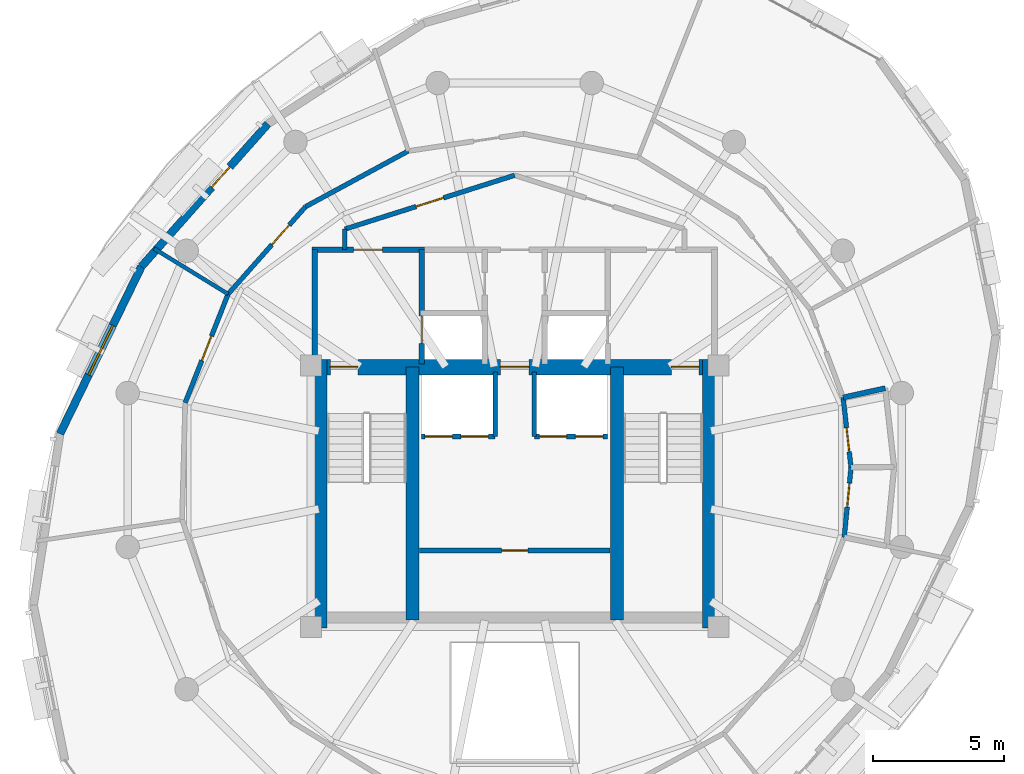
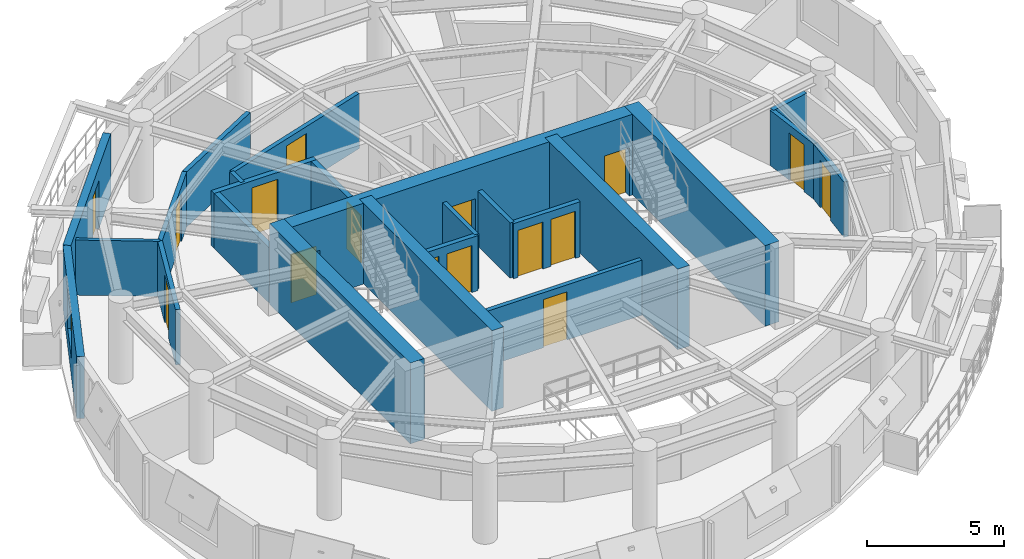
# One storey, part 7 of 11: 24 walls, 16 doors, 1 window, 17 openings.
"""IFC4 building model written with IfcOpenShell, lengths in metres."""

import ifcopenshell
import ifcopenshell.guid

model = None  # the IFC model being written
_history = None  # IfcOwnerHistory: only IFC2X3 demands one
_inside = {}  # id of a spatial element -> (the spatial element, [elements in it])
_under = {}  # id of a project, library or spatial element -> (it, [spatial elements below it])
_declared = {}  # id of a project -> (the project, [libraries it declares])
_typed = {}  # id of a type object -> (the type object, [elements of that type])
_made_of = {}  # id of a material, layer set ... -> (it, [elements and type objects made of it])


def new_model(schema):
    """Start an empty IFC model of exactly this schema.

    Asked for "IFC4X3", IfcOpenShell would pick the latest addendum, in which some entities
    have other attributes; the version numbers below select the first issue.
    IFC2X3 requires an IfcOwnerHistory on every rooted entity: one is made here for all.
    """
    global model, _history
    if schema == "IFC4X3":
        model = ifcopenshell.file(schema_version=(4, 3, 0, 0))
    else:
        model = ifcopenshell.file(schema=schema)
    _inside.clear()
    _under.clear()
    _declared.clear()
    _typed.clear()
    _made_of.clear()
    _history = None
    if model.schema == "IFC2X3":
        org = make("IfcOrganization", Name="unknown")
        user = make(
            "IfcPersonAndOrganization",
            ThePerson=make("IfcPerson", FamilyName="unknown"),
            TheOrganization=org,
        )
        app = make(
            "IfcApplication",
            ApplicationDeveloper=org,
            Version="unknown",
            ApplicationFullName="unknown",
            ApplicationIdentifier="unknown",
        )
        _history = make(
            "IfcOwnerHistory",
            OwningUser=user,
            OwningApplication=app,
            ChangeAction="ADDED",
            CreationDate=0,
        )
    return model


def make(cls, **values):
    """One entity of the class cls with the attributes given. An attribute that is None is left unset."""
    return model.create_entity(
        cls, **{name: value for name, value in values.items() if value is not None}
    )


def rooted(cls, **values):
    """An entity with a GlobalId (a new one), such as an element, a storey or a relation."""
    return make(cls, GlobalId=ifcopenshell.guid.new(), OwnerHistory=_history, **values)


def si_unit(unit_type, name, prefix=None):
    """IfcSIUnit, for example si_unit("LENGTHUNIT", "METRE", prefix="MILLI")."""
    return make("IfcSIUnit", UnitType=unit_type, Prefix=prefix, Name=name)


def assignment(units):
    """IfcUnitAssignment: the units of a project."""
    return None if units is None else make("IfcUnitAssignment", Units=units)


def point(xyz):
    """IfcCartesianPoint."""
    return None if xyz is None else make("IfcCartesianPoint", Coordinates=xyz)


def direction(xyz):
    """IfcDirection."""
    return None if xyz is None else make("IfcDirection", DirectionRatios=xyz)


def frame(location, z_axis=None, x_axis=None):
    """IfcAxis2Placement3D, a coordinate frame: its origin and axes. An axis left out is left unset."""
    return make(
        "IfcAxis2Placement3D",
        Location=point(location),
        Axis=direction(z_axis),
        RefDirection=direction(x_axis),
    )


def frame_2d(location, x_axis=None):
    """IfcAxis2Placement2D, a coordinate frame in the plane: its origin and x axis."""
    return make(
        "IfcAxis2Placement2D", Location=point(location), RefDirection=direction(x_axis)
    )


def origin():
    """The frame at (0, 0, 0) with its axes left unset."""
    return frame((0.0, 0.0, 0.0))


def place(relative_to, where):
    """IfcLocalPlacement: puts the frame where relative to a parent placement (None: the world)."""
    return make(
        "IfcLocalPlacement", PlacementRelTo=relative_to, RelativePlacement=where
    )


def context(
    kind, dimensions, precision=None, world=None, true_north=None, identifier=None
):
    """IfcGeometricRepresentationContext, for example the 3D "Model" context."""
    return make(
        "IfcGeometricRepresentationContext",
        ContextIdentifier=identifier,
        ContextType=kind,
        CoordinateSpaceDimension=dimensions,
        Precision=precision,
        WorldCoordinateSystem=world,
        TrueNorth=true_north,
    )


def subcontext(parent, identifier, kind, view, scale=None):
    """IfcGeometricRepresentationSubContext, for example "Body" below "Model"."""
    return make(
        "IfcGeometricRepresentationSubContext",
        ContextIdentifier=identifier,
        ContextType=kind,
        ParentContext=parent,
        TargetScale=scale,
        TargetView=view,
    )


def project(units=None, contexts=None):
    """IfcProject with its units and contexts."""
    return rooted(
        "IfcProject",
        Name="project",
        RepresentationContexts=contexts,
        UnitsInContext=assignment(units),
    )


def spatial(cls, under=None, at=None, **own):
    """A site, building, storey or space (cls), placed at a placement, below another one or the project."""
    s = rooted(cls, ObjectPlacement=at, **own)
    if under is not None:
        _under.setdefault(under.id(), (under, []))[1].append(s)
    return s


def profile(cls, at=None, kind="AREA", **sizes):
    """A parametric profile (cls). Its sizes go by their IFC names, for example OverallWidth=200.0."""
    return make(cls, ProfileType=kind, Position=at, **sizes)


def rectangle(**sizes):
    """IfcRectangleProfileDef."""
    return profile("IfcRectangleProfileDef", **sizes)


def extrude(swept, where, along, depth):
    """IfcExtrudedAreaSolid: the profile swept, set in the frame where, extruded along a direction by depth."""
    return make(
        "IfcExtrudedAreaSolid",
        SweptArea=swept,
        Position=where,
        ExtrudedDirection=direction(along),
        Depth=depth,
    )


def shape(context_of_items, identifier, shape_type, items):
    """IfcShapeRepresentation: the items that make up one representation, for example the "Body"."""
    return make(
        "IfcShapeRepresentation",
        ContextOfItems=context_of_items,
        RepresentationIdentifier=identifier,
        RepresentationType=shape_type,
        Items=items,
    )


def material(Name=None, Category=None):
    """IfcMaterial."""
    return make("IfcMaterial", Name=Name, Category=Category)


def layer(
    of_material, thickness, ventilated=None, Name=None, Category=None, Priority=None
):
    """IfcMaterialLayer: one layer of a wall or slab, of a material (None: an air gap)."""
    return make(
        "IfcMaterialLayer",
        Material=of_material,
        LayerThickness=thickness,
        IsVentilated=ventilated,
        Name=Name,
        Category=Category,
        Priority=Priority,
    )


def layer_set(layers, Name=None):
    """IfcMaterialLayerSet."""
    return make("IfcMaterialLayerSet", MaterialLayers=layers, LayerSetName=Name)


def made_of(thing, what):
    """Note that an element or type object is made of a material, layer set ...; save() writes the relation."""
    if what is not None:
        _made_of.setdefault(what.id(), (what, []))[1].append(thing)
    return thing


def type_object(cls, material=None, **own):
    """A type object (cls), such as IfcWallType, which elements share."""
    return made_of(rooted(cls, **own), material)


def element(
    cls,
    number,
    at=None,
    inside=None,
    cuts=None,
    type_object=None,
    material=None,
    context=None,
    identifier="Body",
    shape_type=None,
    held_by="IfcProductDefinitionShape",
    body=None,
    shapes=None,
    **own,
):
    """One element of the class cls, such as IfcWall. Its Tag is "e" and its number.

    at: its placement. inside: the storey or other place that contains it. cuts: it is an
    opening in that element (IfcRelVoidsElement). A single representation is given by context,
    identifier, shape_type and body (its items); several are given by shapes. held_by: the class
    of the entity that holds the representations. save() writes the other relations.
    """
    e = rooted(cls, Tag="e%d" % number, ObjectPlacement=at, **own)
    if body is not None:
        shapes = [shape(context, identifier, shape_type, body)]
    if shapes is not None:
        e.Representation = make(held_by, Representations=shapes)
    if inside is not None:
        _inside.setdefault(inside.id(), (inside, []))[1].append(e)
    if cuts is not None:
        rooted(
            "IfcRelVoidsElement", RelatingBuildingElement=cuts, RelatedOpeningElement=e
        )
    if type_object is not None:
        _typed.setdefault(type_object.id(), (type_object, []))[1].append(e)
    return made_of(e, material)


def fill(opening, filler):
    """IfcRelFillsElement: the door or window that sits in an opening."""
    return rooted(
        "IfcRelFillsElement",
        RelatingOpeningElement=opening,
        RelatedBuildingElement=filler,
    )


def aggregate(whole, parts):
    """IfcRelAggregates: a whole, such as a stair, and the parts it consists of."""
    return rooted("IfcRelAggregates", RelatingObject=whole, RelatedObjects=parts)


def save(model, path):
    """Write the relations noted so far, then the file.

    IfcRelAggregates (storeys below a building ...), IfcRelContainedInSpatialStructure (elements
    in a storey), IfcRelDefinesByType, IfcRelAssociatesMaterial and IfcRelDeclares: one each for
    every whole, place, type object, material and project.
    """
    for whole, parts in _under.values():
        aggregate(whole, parts)
    for where, things in _inside.values():
        rooted(
            "IfcRelContainedInSpatialStructure",
            RelatedElements=things,
            RelatingStructure=where,
        )
    for kind, things in _typed.values():
        rooted("IfcRelDefinesByType", RelatedObjects=things, RelatingType=kind)
    for what, things in _made_of.values():
        rooted("IfcRelAssociatesMaterial", RelatedObjects=things, RelatingMaterial=what)
    for by, libraries in _declared.values():
        rooted("IfcRelDeclares", RelatingContext=by, RelatedDefinitions=libraries)
    model.write(path)


model = new_model("IFC4")

# Units and contexts
model_context = context("Model", 3, precision=1e-05, world=origin(), true_north=direction((0.0, 1.0)))
body_context = subcontext(model_context, "Body", "Model", "MODEL_VIEW")
ifc_project = project(units=[si_unit("LENGTHUNIT", "METRE"), si_unit("AREAUNIT", "SQUARE_METRE"), si_unit("VOLUMEUNIT", "CUBIC_METRE"), si_unit("PLANEANGLEUNIT", "RADIAN"), si_unit("MASSUNIT", "GRAM", prefix="KILO"), si_unit("THERMODYNAMICTEMPERATUREUNIT", "KELVIN"), si_unit("POWERUNIT", "WATT")], contexts=[model_context])

# Site, building, storey
site_placement = place(None, origin())
site = spatial("IfcSite", under=ifc_project, at=site_placement, CompositionType="ELEMENT")
building_placement = place(site_placement, origin())
building = spatial("IfcBuilding", under=site, at=building_placement, Name="Ocrelia Relay Tower", CompositionType="ELEMENT")
storey_placement = place(building_placement, frame((0.0, 0.0, 234.0)))
storey = spatial("IfcBuildingStorey", under=building, at=storey_placement, Name="L57", CompositionType="ELEMENT", Elevation=234.0)

# Wall, openings, doors
ifc_material_1 = material(Name="Concrete C50/60", Category="concrete")
ifc_layer_1 = layer(ifc_material_1, 0.60009765625, Name="Concrete C50/60")
ifc_layer_set_1 = layer_set([ifc_layer_1], Name="Concrete C50/60")
wall_type_1 = type_object("IfcWallType", Name="CW-CORE-600B", PredefinedType="SHEAR", material=ifc_layer_set_1)
wall_1_placement = place(storey_placement, frame((26.221923828125, 29.93798828125, 0.0), z_axis=(0.0, 0.0, 1.0), x_axis=(1.0, 0.0, 0.0)))
wall_1 = element("IfcWall", 1, at=wall_1_placement, inside=storey, type_object=wall_type_1, Name="L57 Core Shear Wall N", PredefinedType="SHEAR", context=body_context, shape_type="SweptSolid", body=[
    extrude(rectangle(XDim=15.566162109375, YDim=0.60009765625, at=frame_2d((7.783203125, 0.0))), origin(), (0.0, 0.0, 1.0), 3.60009765625),
])
opening_1_placement = place(wall_1_placement, frame((0.72802734375, 0.0, 0.0)))
opening_1 = element("IfcOpeningElement", 2, at=opening_1_placement, cuts=wall_1, Name="Opening D-FD90", PredefinedType="OPENING", context=body_context, shape_type="SweptSolid", body=[
    extrude(rectangle(XDim=1.050048828125, YDim=2.14990234375, at=frame_2d((0.52490234375, 1.074951171875))), frame((0.0, 0.31005859375, 0.0), z_axis=(0.0, -1.0, 0.0), x_axis=(1.0, 0.0, 0.0)), (0.0, 0.0, 1.0), 0.6201171875),
])
opening_2_placement = place(wall_1_placement, frame((13.778076171875, 0.0, 0.0)))
opening_2 = element("IfcOpeningElement", 3, at=opening_2_placement, cuts=wall_1, Name="Opening D-FD90", PredefinedType="OPENING", context=body_context, shape_type="SweptSolid", body=[
    extrude(rectangle(XDim=1.050048828125, YDim=2.14990234375, at=frame_2d((0.52490234375, 1.074951171875))), frame((0.0, 0.31005859375, 0.0), z_axis=(0.0, -1.0, 0.0), x_axis=(1.0, 0.0, 0.0)), (0.0, 0.0, 1.0), 0.6201171875),
])
opening_3_placement = place(wall_1_placement, frame((7.22802734375, 0.0, 0.0)))
opening_3 = element("IfcOpeningElement", 4, at=opening_3_placement, cuts=wall_1, Name="Opening D-FD60", PredefinedType="OPENING", context=body_context, shape_type="SweptSolid", body=[
    extrude(rectangle(XDim=1.10009765625, YDim=2.14990234375, at=frame_2d((0.550048828125, 1.074951171875))), frame((0.0, 0.31005859375, 0.0), z_axis=(0.0, -1.0, 0.0), x_axis=(1.0, 0.0, 0.0)), (0.0, 0.0, 1.0), 0.6201171875),
])
ifc_material_2 = material(Name="Timber-core 60-min acoustic fire door", Category="wood")
door_type_1 = type_object("IfcDoorType", Name="DR-LOBBY-FD60-1100", OperationType="NOTDEFINED", PredefinedType="DOOR", material=ifc_material_2)
door_1_placement = place(opening_3_placement, origin())
door_1 = element("IfcDoor", 5, at=door_1_placement, inside=storey, type_object=door_type_1, Name="L57 Core Lift Lobby North Fire Door", OperationType="SINGLE_SWING_LEFT", OverallHeight=2.14990234375, OverallWidth=1.10009765625, PredefinedType="DOOR", context=body_context, shape_type="SweptSolid", body=[
    extrude(rectangle(XDim=1.10009765625, YDim=2.14990234375, at=frame_2d((0.550048828125, 1.074951171875))), frame((0.0, 0.02490234375, 0.0), z_axis=(0.0, -1.0, 0.0), x_axis=(1.0, 0.0, 0.0)), (0.0, 0.0, 1.0), 0.050048828125),
])
fill(opening_3, door_1)
ifc_material_3 = material(Name="Steel S355 90-min fire door", Category="steel")
door_type_2 = type_object("IfcDoorType", Name="DR-STAIR-FD90-1050", OperationType="NOTDEFINED", PredefinedType="DOOR", material=ifc_material_3)
door_2_placement = place(opening_1_placement, origin())
door_2 = element("IfcDoor", 6, at=door_2_placement, inside=storey, type_object=door_type_2, Name="L57 Stair ST1 Fire Door", OperationType="SINGLE_SWING_LEFT", OverallHeight=2.14990234375, OverallWidth=1.050048828125, PredefinedType="DOOR", context=body_context, shape_type="SweptSolid", body=[
    extrude(rectangle(XDim=1.050048828125, YDim=2.14990234375, at=frame_2d((0.52490234375, 1.074951171875))), frame((0.0, 0.02490234375, 0.0), z_axis=(0.0, -1.0, 0.0), x_axis=(1.0, 0.0, 0.0)), (0.0, 0.0, 1.0), 0.050048828125),
])
fill(opening_1, door_2)
door_3_placement = place(opening_2_placement, origin())
door_3 = element("IfcDoor", 7, at=door_3_placement, inside=storey, type_object=door_type_2, Name="L57 Stair ST2 Fire Door", OperationType="SINGLE_SWING_RIGHT", OverallHeight=2.14990234375, OverallWidth=1.050048828125, PredefinedType="DOOR", context=body_context, shape_type="SweptSolid", body=[
    extrude(rectangle(XDim=1.050048828125, YDim=2.14990234375, at=frame_2d((0.52490234375, 1.074951171875))), frame((0.0, 0.02490234375, 0.0), z_axis=(0.0, -1.0, 0.0), x_axis=(1.0, 0.0, 0.0)), (0.0, 0.0, 1.0), 0.050048828125),
])
fill(opening_2, door_3)

# Walls
for number, where, z_axis, x_axis, name in (
    (8, (26.52197265625, 19.9619140625, 0.0), (0.0, 0.0, 1.0), (0.0, 1.0, 0.0), "L57 Core Shear Wall W"),
    (9, (41.488037109375, 19.9619140625, 0.0), (0.0, 0.0, 1.0), (0.0, 1.0, 0.0), "L57 Core Shear Wall E"),
):
    element("IfcWall", number, at=place(storey_placement, frame(where, z_axis=z_axis, x_axis=x_axis)), inside=storey, type_object=wall_type_1, Name=name, PredefinedType="SHEAR", context=body_context, shape_type="SweptSolid", body=[
        extrude(rectangle(XDim=10.276123046875, YDim=0.60009765625, at=frame_2d((5.13818359375, 0.0))), origin(), (0.0, 0.0, 1.0), 3.60009765625),
    ])
for number, where, z_axis, x_axis, name in (
    (10, (30.087890625, 20.261962890625, 0.0), (0.0, 0.0, 1.0), (0.0, 1.0, 0.0), "L57 Core Shear Wall SPW"),
    (11, (37.922119140625, 20.261962890625, 0.0), (0.0, 0.0, 1.0), (0.0, 1.0, 0.0), "L57 Core Shear Wall SPE"),
):
    element("IfcWall", number, at=place(storey_placement, frame(where, z_axis=z_axis, x_axis=x_axis)), inside=storey, type_object=wall_type_1, Name=name, PredefinedType="SHEAR", context=body_context, shape_type="SweptSolid", body=[
        extrude(rectangle(XDim=9.676025390625, YDim=0.5, at=frame_2d((4.837890625, 0.0))), origin(), (0.0, 0.0, 1.0), 3.60009765625),
    ])

# Wall, opening, door
ifc_material_4 = material(Name="Gypsum Fireboard Partition EI60", Category="gypsum")
ifc_layer_2 = layer(ifc_material_4, 0.179931640625, Name="Gypsum Fireboard Partition EI60")
ifc_layer_set_2 = layer_set([ifc_layer_2], Name="Gypsum Fireboard Partition EI60")
wall_type_2 = type_object("IfcWallType", Name="W-CORR-EI60-180", PredefinedType="PARTITIONING", material=ifc_layer_set_2)
wall_2_placement = place(storey_placement, frame((30.35009765625, 22.919921875, 0.0), z_axis=(0.0, 0.0, 1.0), x_axis=(1.0, 0.0, 0.0)))
wall_2 = element("IfcWall", 12, at=wall_2_placement, inside=storey, type_object=wall_type_2, Name="L57 Reclaimed Core Room Partition", PredefinedType="PARTITIONING", context=body_context, shape_type="SweptSolid", body=[
    extrude(rectangle(XDim=7.2998046875, YDim=0.179931640625, at=frame_2d((3.64990234375, 0.0))), origin(), (0.0, 0.0, 1.0), 2.4599609375),
])
opening_4_placement = place(wall_2_placement, frame((3.14990234375, 0.0, 0.0)))
opening_4 = element("IfcOpeningElement", 13, at=opening_4_placement, cuts=wall_2, Name="Opening D-RM100", PredefinedType="OPENING", context=body_context, shape_type="SweptSolid", body=[
    extrude(rectangle(XDim=1.0, YDim=2.14990234375, at=frame_2d((0.5, 1.074951171875))), frame((0.0, 0.10009765625, 0.0), z_axis=(0.0, -1.0, 0.0), x_axis=(1.0, 0.0, 0.0)), (0.0, 0.0, 1.0), 0.199951171875),
])
ifc_material_5 = material(Name="Acoustic oak veneer fire door", Category="wood")
door_type_3 = type_object("IfcDoorType", Name="DR-ROOM-FD60-1000", OperationType="NOTDEFINED", PredefinedType="DOOR", material=ifc_material_5)
door_4_placement = place(opening_4_placement, origin())
door_4 = element("IfcDoor", 14, at=door_4_placement, inside=storey, type_object=door_type_3, Name="L57 Calibration Laboratory Door", OperationType="SINGLE_SWING_LEFT", OverallHeight=2.14990234375, OverallWidth=1.0, PredefinedType="DOOR", context=body_context, shape_type="SweptSolid", body=[
    extrude(rectangle(XDim=1.0, YDim=2.14990234375, at=frame_2d((0.5, 1.074951171875))), frame((0.0, 0.02490234375, 0.0), z_axis=(0.0, -1.0, 0.0), x_axis=(1.0, 0.0, 0.0)), (0.0, 0.0, 1.0), 0.050048828125),
])
fill(opening_4, door_4)

# Wall
wall_3_placement = place(storey_placement, frame((27.5, 34.429931640625, 0.0), z_axis=(0.0, 0.0, 1.0), x_axis=(0.0, 1.0, 0.0)))
element("IfcWall", 15, at=wall_3_placement, inside=storey, type_object=wall_type_2, Name="L57 Smoke Lobby West Return", PredefinedType="PARTITIONING", context=body_context, shape_type="SweptSolid", body=[
    extrude(rectangle(XDim=0.7890625, YDim=0.179931640625, at=frame_2d((0.39453125, 0.0))), origin(), (0.0, 0.0, 1.0), 2.4599609375),
])

# Wall, opening, door
wall_4_placement = place(storey_placement, frame((27.5, 35.218994140625, 0.0), z_axis=(0.0, 0.0, 1.0), x_axis=(0.953228121756, 0.302251795518, 0.0)))
wall_4 = element("IfcWall", 16, at=wall_4_placement, inside=storey, type_object=wall_type_2, Name="L57 North Smoke Lobby W Screen Wall", PredefinedType="PARTITIONING", context=body_context, shape_type="SweptSolid", body=[
    extrude(rectangle(XDim=6.81884765625, YDim=0.179931640625, at=frame_2d((3.409423828125, 0.0))), origin(), (0.0, 0.0, 1.0), 2.4599609375),
])
opening_5_placement = place(wall_4_placement, frame((2.859619140625, 0.0, 0.0)))
opening_5 = element("IfcOpeningElement", 17, at=opening_5_placement, cuts=wall_4, Name="Opening D-FD60", PredefinedType="OPENING", context=body_context, shape_type="SweptSolid", body=[
    extrude(rectangle(XDim=1.10009765625, YDim=2.14990234375, at=frame_2d((0.550048828125, 1.074951171875))), frame((0.0, 0.10009765625, 0.0), z_axis=(0.0, -1.0, 0.0), x_axis=(1.0, 0.0, 0.0)), (0.0, 0.0, 1.0), 0.199951171875),
])
door_5_placement = place(opening_5_placement, origin())
door_5 = element("IfcDoor", 18, at=door_5_placement, inside=storey, type_object=door_type_1, Name="L57 North Smoke Lobby W Fire Door", OperationType="SINGLE_SWING_RIGHT", OverallHeight=2.14990234375, OverallWidth=1.10009765625, PredefinedType="DOOR", context=body_context, shape_type="SweptSolid", body=[
    extrude(rectangle(XDim=1.10009765625, YDim=2.14990234375, at=frame_2d((0.550048828125, 1.074951171875))), frame((0.0, 0.02490234375, 0.0), z_axis=(0.0, -1.0, 0.0), x_axis=(1.0, 0.0, 0.0)), (0.0, 0.0, 1.0), 0.050048828125),
])
fill(opening_5, door_5)

wall_5_placement = place(storey_placement, frame((46.609375, 23.423095703125, 0.0), z_axis=(0.0, 0.0, 1.0), x_axis=(0.096727271829, 0.995310923724, 0.0)))
wall_5 = element("IfcWall", 19, at=wall_5_placement, inside=storey, type_object=wall_type_2, Name="L57 Staff Toilet Corridor Wall", PredefinedType="PARTITIONING", context=body_context, shape_type="SweptSolid", body=[
    extrude(rectangle(XDim=2.690673828125, YDim=0.179931640625, at=frame_2d((1.34521484375, 0.0))), origin(), (0.0, 0.0, 1.0), 2.4599609375),
])
opening_6_placement = place(wall_5_placement, frame((1.16748046875, 0.0, 0.0)))
opening_6 = element("IfcOpeningElement", 20, at=opening_6_placement, cuts=wall_5, Name="Opening D-WC92", PredefinedType="OPENING", context=body_context, shape_type="SweptSolid", body=[
    extrude(rectangle(XDim=0.919921875, YDim=2.10009765625, at=frame_2d((0.4599609375, 1.050048828125))), frame((0.0, 0.10009765625, 0.0), z_axis=(0.0, -1.0, 0.0), x_axis=(1.0, 0.0, 0.0)), (0.0, 0.0, 1.0), 0.199951171875),
])
ifc_material_6 = material(Name="Laminate washroom door", Category="wood")
door_type_4 = type_object("IfcDoorType", Name="DR-WC-920", OperationType="NOTDEFINED", PredefinedType="DOOR", material=ifc_material_6)
door_6_placement = place(opening_6_placement, origin())
door_6 = element("IfcDoor", 21, at=door_6_placement, inside=storey, type_object=door_type_4, Name="L57 Staff Toilet Door", OperationType="SINGLE_SWING_RIGHT", OverallHeight=2.10009765625, OverallWidth=0.919921875, PredefinedType="DOOR", context=body_context, shape_type="SweptSolid", body=[
    extrude(rectangle(XDim=0.919921875, YDim=2.10009765625, at=frame_2d((0.4599609375, 1.050048828125))), frame((0.0, 0.02490234375, 0.0), z_axis=(0.0, -1.0, 0.0), x_axis=(1.0, 0.0, 0.0)), (0.0, 0.0, 1.0), 0.050048828125),
])
fill(opening_6, door_6)

wall_6_placement = place(storey_placement, frame((46.86962890625, 26.10107421875, 0.0), z_axis=(0.0, 0.0, 1.0), x_axis=(-0.112333499696, 0.993670561527, 0.0)))
wall_6 = element("IfcWall", 22, at=wall_6_placement, inside=storey, type_object=wall_type_2, Name="L57 Accessible Toilet Corridor Wall", PredefinedType="PARTITIONING", context=body_context, shape_type="SweptSolid", body=[
    extrude(rectangle(XDim=2.690673828125, YDim=0.179931640625, at=frame_2d((1.34521484375, 0.0))), origin(), (0.0, 0.0, 1.0), 2.4599609375),
])
opening_7_placement = place(wall_6_placement, frame((0.603271484375, 0.0, 0.0)))
opening_7 = element("IfcOpeningElement", 23, at=opening_7_placement, cuts=wall_6, Name="Opening D-WC92", PredefinedType="OPENING", context=body_context, shape_type="SweptSolid", body=[
    extrude(rectangle(XDim=0.919921875, YDim=2.10009765625, at=frame_2d((0.4599609375, 1.050048828125))), frame((0.0, 0.10009765625, 0.0), z_axis=(0.0, -1.0, 0.0), x_axis=(1.0, 0.0, 0.0)), (0.0, 0.0, 1.0), 0.199951171875),
])
door_7_placement = place(opening_7_placement, origin())
door_7 = element("IfcDoor", 24, at=door_7_placement, inside=storey, type_object=door_type_4, Name="L57 Accessible Toilet Door", OperationType="SINGLE_SWING_LEFT", OverallHeight=2.10009765625, OverallWidth=0.919921875, PredefinedType="DOOR", context=body_context, shape_type="SweptSolid", body=[
    extrude(rectangle(XDim=0.919921875, YDim=2.10009765625, at=frame_2d((0.4599609375, 1.050048828125))), frame((0.0, 0.02490234375, 0.0), z_axis=(0.0, -1.0, 0.0), x_axis=(1.0, 0.0, 0.0)), (0.0, 0.0, 1.0), 0.050048828125),
])
fill(opening_7, door_7)

# Wall
wall_7_placement = place(storey_placement, frame((29.927001953125, 38.20849609375, 0.0), z_axis=(0.0, 0.0, 1.0), x_axis=(-0.879228100165, -0.476401036817, 0.0)))
element("IfcWall", 25, at=wall_7_placement, inside=storey, type_object=wall_type_2, Name="L57 Policy Office D Corridor Partition 1", PredefinedType="PARTITIONING", context=body_context, shape_type="SweptSolid", body=[
    extrude(rectangle(XDim=4.4697265625, YDim=0.179931640625, at=frame_2d((2.23486328125, 0.0))), origin(), (0.0, 0.0, 1.0), 2.4599609375),
])

# Wall, opening, door
wall_8_placement = place(storey_placement, frame((25.9970703125, 36.0791015625, 0.0), z_axis=(0.0, 0.0, 1.0), x_axis=(-0.663274838451, -0.748375900652, 0.0)))
wall_8 = element("IfcWall", 26, at=wall_8_placement, inside=storey, type_object=wall_type_2, Name="L57 Policy Office D Corridor Partition 2", PredefinedType="PARTITIONING", context=body_context, shape_type="SweptSolid", body=[
    extrude(rectangle(XDim=4.4697265625, YDim=0.179931640625, at=frame_2d((2.23486328125, 0.0))), origin(), (0.0, 0.0, 1.0), 2.4599609375),
])
opening_8_placement = place(wall_8_placement, frame((0.9423828125, 0.0, 0.0)))
opening_8 = element("IfcOpeningElement", 27, at=opening_8_placement, cuts=wall_8, Name="Opening D-RM100", PredefinedType="OPENING", context=body_context, shape_type="SweptSolid", body=[
    extrude(rectangle(XDim=1.0, YDim=2.14990234375, at=frame_2d((0.5, 1.074951171875))), frame((0.0, 0.10009765625, 0.0), z_axis=(0.0, -1.0, 0.0), x_axis=(1.0, 0.0, 0.0)), (0.0, 0.0, 1.0), 0.199951171875),
])
door_8_placement = place(opening_8_placement, origin())
door_8 = element("IfcDoor", 28, at=door_8_placement, inside=storey, type_object=door_type_3, Name="L57 Policy Office D Entrance Door", OperationType="SINGLE_SWING_RIGHT", OverallHeight=2.14990234375, OverallWidth=1.0, PredefinedType="DOOR", context=body_context, shape_type="SweptSolid", body=[
    extrude(rectangle(XDim=1.0, YDim=2.14990234375, at=frame_2d((0.5, 1.074951171875))), frame((0.0, 0.02490234375, 0.0), z_axis=(0.0, -1.0, 0.0), x_axis=(1.0, 0.0, 0.0)), (0.0, 0.0, 1.0), 0.050048828125),
])
fill(opening_8, door_8)

wall_9_placement = place(storey_placement, frame((23.032470703125, 32.734130859375, 0.0), z_axis=(0.0, 0.0, 1.0), x_axis=(-0.367328200365, -0.930091389712, 0.0)))
wall_9 = element("IfcWall", 29, at=wall_9_placement, inside=storey, type_object=wall_type_2, Name="L57 Strategy Office E Corridor Partition 1", PredefinedType="PARTITIONING", context=body_context, shape_type="SweptSolid", body=[
    extrude(rectangle(XDim=4.4697265625, YDim=0.179931640625, at=frame_2d((2.23486328125, 0.0))), origin(), (0.0, 0.0, 1.0), 2.4599609375),
])
opening_9_placement = place(wall_9_placement, frame((1.73486328125, 0.0, 0.0)))
opening_9 = element("IfcOpeningElement", 30, at=opening_9_placement, cuts=wall_9, Name="Opening D-RM100", PredefinedType="OPENING", context=body_context, shape_type="SweptSolid", body=[
    extrude(rectangle(XDim=1.0, YDim=2.14990234375, at=frame_2d((0.5, 1.074951171875))), frame((0.0, 0.10009765625, 0.0), z_axis=(0.0, -1.0, 0.0), x_axis=(1.0, 0.0, 0.0)), (0.0, 0.0, 1.0), 0.199951171875),
])
door_9_placement = place(opening_9_placement, origin())
door_9 = element("IfcDoor", 31, at=door_9_placement, inside=storey, type_object=door_type_3, Name="L57 Strategy Office E Entrance Door", OperationType="SINGLE_SWING_LEFT", OverallHeight=2.14990234375, OverallWidth=1.0, PredefinedType="DOOR", context=body_context, shape_type="SweptSolid", body=[
    extrude(rectangle(XDim=1.0, YDim=2.14990234375, at=frame_2d((0.5, 1.074951171875))), frame((0.0, 0.02490234375, 0.0), z_axis=(0.0, -1.0, 0.0), x_axis=(1.0, 0.0, 0.0)), (0.0, 0.0, 1.0), 0.050048828125),
])
fill(opening_9, door_9)

ifc_material_7 = material(Name="Precast concrete C40/50 with oxide terracotta", Category="masonry")
ifc_layer_3 = layer(ifc_material_7, 0.300048828125, Name="Precast concrete C40/50 with oxide terracotta")
ifc_layer_set_3 = layer_set([ifc_layer_3], Name="Precast concrete C40/50 with oxide terracotta")
wall_type_3 = type_object("IfcWallType", Name="W-EXT-TERR-300", PredefinedType="SOLIDWALL", material=ifc_layer_set_3)
wall_10_placement = place(storey_placement, frame((24.552978515625, 39.24560546875, 0.0), z_axis=(0.0, 0.0, 1.0), x_axis=(-0.663261925143, -0.748387345333, 0.0)))
wall_10 = element("IfcWall", 32, at=wall_10_placement, inside=storey, type_object=wall_type_3, Name="L57 Oxide Terracotta Facade Wall 05", PredefinedType="SOLIDWALL", context=body_context, shape_type="SweptSolid", body=[
    extrude(rectangle(XDim=7.29345703125, YDim=0.300048828125, at=frame_2d((3.646728515625, 0.0))), origin(), (0.0, 0.0, 1.0), 2.760009765625),
])
opening_10_placement = place(wall_10_placement, frame((2.18994140625, 0.0, 0.0)))
opening_10 = element("IfcOpeningElement", 33, at=opening_10_placement, cuts=wall_10, Name="Opening DB-105", PredefinedType="OPENING", context=body_context, shape_type="SweptSolid", body=[
    extrude(rectangle(XDim=1.050048828125, YDim=2.14990234375, at=frame_2d((0.52490234375, 1.074951171875))), frame((0.0, 0.16015625, 0.0), z_axis=(0.0, -1.0, 0.0), x_axis=(1.0, 0.0, 0.0)), (0.0, 0.0, 1.0), 0.320068359375),
])
ifc_material_8 = material(Name="Thermally broken aluminium and clear glass", Category="aluminium")
door_type_5 = type_object("IfcDoorType", Name="DR-BALC-1050", OperationType="NOTDEFINED", PredefinedType="DOOR", material=ifc_material_8)
door_10_placement = place(opening_10_placement, origin())
door_10 = element("IfcDoor", 34, at=door_10_placement, inside=storey, type_object=door_type_5, Name="L57 Planted Loggia Balcony Door B1", OperationType="SINGLE_SWING_LEFT", OverallHeight=2.14990234375, OverallWidth=1.050048828125, PredefinedType="DOOR", context=body_context, shape_type="SweptSolid", body=[
    extrude(rectangle(XDim=1.050048828125, YDim=2.14990234375, at=frame_2d((0.52490234375, 1.074951171875))), frame((0.0, 0.02490234375, 0.0), z_axis=(0.0, -1.0, 0.0), x_axis=(1.0, 0.0, 0.0)), (0.0, 0.0, 1.0), 0.050048828125),
])
fill(opening_10, door_10)

# Wall, opening, window
wall_11_placement = place(storey_placement, frame((19.715576171875, 33.787353515625, 0.0), z_axis=(0.0, 0.0, 1.0), x_axis=(-0.437731914834, -0.899105539264, 0.0)))
wall_11 = element("IfcWall", 35, at=wall_11_placement, inside=storey, type_object=wall_type_3, Name="L57 Oxide Terracotta Facade Wall 06", PredefinedType="SOLIDWALL", context=body_context, shape_type="SweptSolid", body=[
    extrude(rectangle(XDim=7.114990234375, YDim=0.300048828125, at=frame_2d((3.5576171875, 0.0))), origin(), (0.0, 0.0, 1.0), 2.760009765625),
])
opening_11_placement = place(wall_11_placement, frame((2.508056640625, 0.0, 0.800048828125)))
opening_11 = element("IfcOpeningElement", 36, at=opening_11_placement, cuts=wall_11, Name="Opening W-07", PredefinedType="OPENING", context=body_context, shape_type="SweptSolid", body=[
    extrude(rectangle(XDim=2.10009765625, YDim=1.85009765625, at=frame_2d((1.050048828125, 0.925048828125))), frame((0.0, 0.16015625, 0.0), z_axis=(0.0, -1.0, 0.0), x_axis=(1.0, 0.0, 0.0)), (0.0, 0.0, 1.0), 0.320068359375),
])
ifc_material_9 = material(Name="Clear double-glazed low-E glass", Category="glass")
window_type = type_object("IfcWindowType", Name="WIN-Z4-2100x2200", PartitioningType="DOUBLE_PANEL_VERTICAL", PredefinedType="WINDOW", material=ifc_material_9)
window_placement = place(opening_11_placement, origin())
window = element("IfcWindow", 37, at=window_placement, inside=storey, type_object=window_type, Name="L57 Facade Module Window 06", OverallHeight=1.85009765625, OverallWidth=2.10009765625, PartitioningType="SINGLE_PANEL", PredefinedType="WINDOW", context=body_context, shape_type="SweptSolid", body=[
    extrude(rectangle(XDim=2.10009765625, YDim=1.85009765625, at=frame_2d((1.050048828125, 0.925048828125))), frame((0.0, 0.030029296875, 0.0), z_axis=(0.0, -1.0, 0.0), x_axis=(1.0, 0.0, 0.0)), (0.0, 0.0, 1.0), 0.06005859375),
])
fill(opening_11, window)

# Wall
ifc_layer_4 = layer(ifc_material_1, 0.219970703125, Name="Concrete C50/60")
ifc_layer_set_4 = layer_set([ifc_layer_4], Name="Concrete C50/60")
wall_type_4 = type_object("IfcWallType", Name="W-FFL-EI120-220", PredefinedType="SOLIDWALL", material=ifc_layer_set_4)
wall_12_placement = place(storey_placement, frame((26.35009765625, 30.050048828125, 0.0), z_axis=(0.0, 0.0, 1.0), x_axis=(0.0, 1.0, 0.0)))
element("IfcWall", 38, at=wall_12_placement, inside=storey, type_object=wall_type_4, Name="L57 W Fire Service Lift Lobby West Wall", PredefinedType="SOLIDWALL", context=body_context, shape_type="SweptSolid", body=[
    extrude(rectangle(XDim=4.3798828125, YDim=0.219970703125, at=frame_2d((2.18994140625, 0.0))), origin(), (0.0, 0.0, 1.0), 2.4599609375),
])

# Wall, opening, door
wall_13_placement = place(storey_placement, frame((30.43994140625, 30.050048828125, 0.0), z_axis=(0.0, 0.0, 1.0), x_axis=(0.0, 1.0, 0.0)))
wall_13 = element("IfcWall", 39, at=wall_13_placement, inside=storey, type_object=wall_type_4, Name="L57 W Fire Service Lift Lobby East Wall", PredefinedType="SOLIDWALL", context=body_context, shape_type="SweptSolid", body=[
    extrude(rectangle(XDim=4.3798828125, YDim=0.219970703125, at=frame_2d((2.18994140625, 0.0))), origin(), (0.0, 0.0, 1.0), 2.4599609375),
])
opening_12_placement = place(wall_13_placement, frame((0.800048828125, 0.0, 0.0)))
opening_12 = element("IfcOpeningElement", 40, at=opening_12_placement, cuts=wall_13, Name="Opening LD-FFL1", PredefinedType="OPENING", context=body_context, shape_type="SweptSolid", body=[
    extrude(rectangle(XDim=1.050048828125, YDim=2.10009765625, at=frame_2d((0.52490234375, 1.050048828125))), frame((0.0, 0.1201171875, 0.0), z_axis=(0.0, -1.0, 0.0), x_axis=(1.0, 0.0, 0.0)), (0.0, 0.0, 1.0), 0.239990234375),
])
ifc_material_10 = material(Name="Brushed stainless steel S355 lift landing door", Category="steel")
door_type_6 = type_object("IfcDoorType", Name="DR-LIFT-LAND-1050", OperationType="DOUBLE_DOOR_SLIDING", PredefinedType="USERDEFINED", material=ifc_material_10)
door_11_placement = place(opening_12_placement, origin())
door_11 = element("IfcDoor", 41, at=door_11_placement, inside=storey, type_object=door_type_6, Name="L57 Firefighting Lift FFL1 Sliding Landing Door", ObjectType="LANDING DOOR", OperationType="DOUBLE_DOOR_SLIDING", OverallHeight=2.10009765625, OverallWidth=1.050048828125, PredefinedType="USERDEFINED", context=body_context, shape_type="SweptSolid", body=[
    extrude(rectangle(XDim=1.050048828125, YDim=2.10009765625, at=frame_2d((0.52490234375, 1.050048828125))), frame((0.0, 0.02490234375, 0.0), z_axis=(0.0, -1.0, 0.0), x_axis=(1.0, 0.0, 0.0)), (0.0, 0.0, 1.0), 0.050048828125),
])
fill(opening_12, door_11)

wall_14_placement = place(storey_placement, frame((26.239990234375, 34.429931640625, 0.0), z_axis=(0.0, 0.0, 1.0), x_axis=(1.0, 0.0, 0.0)))
wall_14 = element("IfcWall", 42, at=wall_14_placement, inside=storey, type_object=wall_type_4, Name="L57 W Fire Service Lift Lobby North Wall", PredefinedType="SOLIDWALL", context=body_context, shape_type="SweptSolid", body=[
    extrude(rectangle(XDim=4.31005859375, YDim=0.219970703125, at=frame_2d((2.155029296875, 0.0))), origin(), (0.0, 0.0, 1.0), 2.4599609375),
])
opening_13_placement = place(wall_14_placement, frame((1.60009765625, 0.0, 0.0)))
opening_13 = element("IfcOpeningElement", 43, at=opening_13_placement, cuts=wall_14, Name="Opening D-FD60", PredefinedType="OPENING", context=body_context, shape_type="SweptSolid", body=[
    extrude(rectangle(XDim=1.10009765625, YDim=2.14990234375, at=frame_2d((0.550048828125, 1.074951171875))), frame((0.0, 0.1201171875, 0.0), z_axis=(0.0, -1.0, 0.0), x_axis=(1.0, 0.0, 0.0)), (0.0, 0.0, 1.0), 0.239990234375),
])
door_12_placement = place(opening_13_placement, origin())
door_12 = element("IfcDoor", 44, at=door_12_placement, inside=storey, type_object=door_type_1, Name="L57 W Fire Service Lift Lobby Exit Door", OperationType="SINGLE_SWING_RIGHT", OverallHeight=2.14990234375, OverallWidth=1.10009765625, PredefinedType="DOOR", context=body_context, shape_type="SweptSolid", body=[
    extrude(rectangle(XDim=1.10009765625, YDim=2.14990234375, at=frame_2d((0.550048828125, 1.074951171875))), frame((0.0, 0.02490234375, 0.0), z_axis=(0.0, -1.0, 0.0), x_axis=(1.0, 0.0, 0.0)), (0.0, 0.0, 1.0), 0.050048828125),
])
fill(opening_13, door_12)

# Walls
ifc_material_11 = material(Name="Acoustic Fireboard Partition EI60", Category="gypsum")
ifc_layer_5 = layer(ifc_material_11, 0.14990234375, Name="Acoustic Fireboard Partition EI60")
ifc_layer_set_5 = layer_set([ifc_layer_5], Name="Acoustic Fireboard Partition EI60")
wall_type_5 = type_object("IfcWallType", Name="W-PART-150", PredefinedType="PARTITIONING", material=ifc_layer_set_5)
wall_15_placement = place(storey_placement, frame((23.032470703125, 32.734130859375, 0.0), z_axis=(0.0, 0.0, 1.0), x_axis=(-0.852183839691, 0.523242490028, 0.0)))
element("IfcWall", 45, at=wall_15_placement, inside=storey, type_object=wall_type_5, Name="L57 Policy Office D Radial Partition", PredefinedType="PARTITIONING", context=body_context, shape_type="SweptSolid", body=[
    extrude(rectangle(XDim=3.3310546875, YDim=0.14990234375, at=frame_2d((1.66552734375, 0.0))), origin(), (0.0, 0.0, 1.0), 2.4599609375),
])
ifc_material_12 = material(Name="Moisture-Resistant Fireboard Chase Wall EI60", Category="gypsum")
ifc_layer_6 = layer(ifc_material_12, 0.199951171875, Name="Moisture-Resistant Fireboard Chase Wall EI60")
ifc_layer_set_6 = layer_set([ifc_layer_6], Name="Moisture-Resistant Fireboard Chase Wall EI60")
wall_type_6 = type_object("IfcWallType", Name="W-PLUMB-200", PredefinedType="PLUMBINGWALL", material=ifc_layer_set_6)
wall_16_placement = place(storey_placement, frame((46.5673828125, 28.774658203125, 0.0), z_axis=(0.0, 0.0, 1.0), x_axis=(0.976488977009, 0.215567339318, 0.0)))
element("IfcWall", 46, at=wall_16_placement, inside=storey, type_object=wall_type_6, Name="L57 Accessible Toilet Plumbing Radial Wall", PredefinedType="PLUMBINGWALL", context=body_context, shape_type="SweptSolid", body=[
    extrude(rectangle(XDim=1.650146484375, YDim=0.199951171875, at=frame_2d((0.8251953125, 0.0))), origin(), (0.0, 0.0, 1.0), 2.4599609375),
])

# Wall, openings, doors
ifc_layer_7 = layer(ifc_material_1, 0.199951171875, Name="Concrete C50/60")
ifc_layer_set_7 = layer_set([ifc_layer_7], Name="Concrete C50/60")
wall_type_7 = type_object("IfcWallType", Name="W-SHAFT-EI120-200", PredefinedType="SOLIDWALL", material=ifc_layer_set_7)
wall_17_placement = place(storey_placement, frame((30.43994140625, 27.280029296875, 0.0), z_axis=(0.0, 0.0, 1.0), x_axis=(1.0, 0.0, 0.0)))
wall_17 = element("IfcWall", 47, at=wall_17_placement, inside=storey, type_object=wall_type_7, Name="L57 High-Rise Lift Hoistway Wall W", PredefinedType="SOLIDWALL", context=body_context, shape_type="SweptSolid", body=[
    extrude(rectangle(XDim=2.81005859375, YDim=0.199951171875, at=frame_2d((1.405029296875, 0.0))), origin(), (0.0, 0.0, 1.0), 2.4599609375),
])
opening_14_placement = place(wall_17_placement, frame((0.1201171875, 0.0, 0.0)))
opening_14 = element("IfcOpeningElement", 48, at=opening_14_placement, cuts=wall_17, Name="Opening LD-PL5", PredefinedType="OPENING", context=body_context, shape_type="SweptSolid", body=[
    extrude(rectangle(XDim=1.050048828125, YDim=2.10009765625, at=frame_2d((0.52490234375, 1.050048828125))), frame((0.0, 0.10986328125, 0.0), z_axis=(0.0, -1.0, 0.0), x_axis=(1.0, 0.0, 0.0)), (0.0, 0.0, 1.0), 0.219970703125),
])
opening_15_placement = place(wall_17_placement, frame((1.5, 0.0, 0.0)))
opening_15 = element("IfcOpeningElement", 49, at=opening_15_placement, cuts=wall_17, Name="Opening LD-PL6", PredefinedType="OPENING", context=body_context, shape_type="SweptSolid", body=[
    extrude(rectangle(XDim=1.050048828125, YDim=2.10009765625, at=frame_2d((0.52490234375, 1.050048828125))), frame((0.0, 0.10986328125, 0.0), z_axis=(0.0, -1.0, 0.0), x_axis=(1.0, 0.0, 0.0)), (0.0, 0.0, 1.0), 0.219970703125),
])
door_13_placement = place(opening_14_placement, origin())
door_13 = element("IfcDoor", 50, at=door_13_placement, inside=storey, type_object=door_type_6, Name="L57 High-Rise Lift PL5 Sliding Landing Door", ObjectType="LANDING DOOR", OperationType="DOUBLE_DOOR_SLIDING", OverallHeight=2.10009765625, OverallWidth=1.050048828125, PredefinedType="USERDEFINED", context=body_context, shape_type="SweptSolid", body=[
    extrude(rectangle(XDim=1.050048828125, YDim=2.10009765625, at=frame_2d((0.52490234375, 1.050048828125))), frame((0.0, 0.02490234375, 0.0), z_axis=(0.0, -1.0, 0.0), x_axis=(1.0, 0.0, 0.0)), (0.0, 0.0, 1.0), 0.050048828125),
])
fill(opening_14, door_13)
door_14_placement = place(opening_15_placement, origin())
door_14 = element("IfcDoor", 51, at=door_14_placement, inside=storey, type_object=door_type_6, Name="L57 High-Rise Lift PL6 Sliding Landing Door", ObjectType="LANDING DOOR", OperationType="DOUBLE_DOOR_SLIDING", OverallHeight=2.10009765625, OverallWidth=1.050048828125, PredefinedType="USERDEFINED", context=body_context, shape_type="SweptSolid", body=[
    extrude(rectangle(XDim=1.050048828125, YDim=2.10009765625, at=frame_2d((0.52490234375, 1.050048828125))), frame((0.0, 0.02490234375, 0.0), z_axis=(0.0, -1.0, 0.0), x_axis=(1.0, 0.0, 0.0)), (0.0, 0.0, 1.0), 0.050048828125),
])
fill(opening_15, door_14)

# Wall
wall_18_placement = place(storey_placement, frame((33.25, 27.280029296875, 0.0), z_axis=(0.0, 0.0, 1.0), x_axis=(0.0, 1.0, 0.0)))
element("IfcWall", 52, at=wall_18_placement, inside=storey, type_object=wall_type_7, Name="L57 High-Rise Lift Throat Wall W", PredefinedType="SOLIDWALL", context=body_context, shape_type="SweptSolid", body=[
    extrude(rectangle(XDim=2.469970703125, YDim=0.179931640625, at=frame_2d((1.23486328125, 0.0))), origin(), (0.0, 0.0, 1.0), 2.4599609375),
])

# Wall, openings, doors
wall_19_placement = place(storey_placement, frame((34.75, 27.280029296875, 0.0), z_axis=(0.0, 0.0, 1.0), x_axis=(1.0, 0.0, 0.0)))
wall_19 = element("IfcWall", 53, at=wall_19_placement, inside=storey, type_object=wall_type_7, Name="L57 High-Rise Lift Hoistway Wall E", PredefinedType="SOLIDWALL", context=body_context, shape_type="SweptSolid", body=[
    extrude(rectangle(XDim=2.81005859375, YDim=0.199951171875, at=frame_2d((1.405029296875, 0.0))), origin(), (0.0, 0.0, 1.0), 2.4599609375),
])
opening_16_placement = place(wall_19_placement, frame((0.18994140625, 0.0, 0.0)))
opening_16 = element("IfcOpeningElement", 54, at=opening_16_placement, cuts=wall_19, Name="Opening LD-PL7", PredefinedType="OPENING", context=body_context, shape_type="SweptSolid", body=[
    extrude(rectangle(XDim=1.050048828125, YDim=2.10009765625, at=frame_2d((0.52490234375, 1.050048828125))), frame((0.0, 0.10986328125, 0.0), z_axis=(0.0, -1.0, 0.0), x_axis=(1.0, 0.0, 0.0)), (0.0, 0.0, 1.0), 0.219970703125),
])
opening_17_placement = place(wall_19_placement, frame((1.570068359375, 0.0, 0.0)))
opening_17 = element("IfcOpeningElement", 55, at=opening_17_placement, cuts=wall_19, Name="Opening LD-PL8", PredefinedType="OPENING", context=body_context, shape_type="SweptSolid", body=[
    extrude(rectangle(XDim=1.050048828125, YDim=2.10009765625, at=frame_2d((0.52490234375, 1.050048828125))), frame((0.0, 0.10986328125, 0.0), z_axis=(0.0, -1.0, 0.0), x_axis=(1.0, 0.0, 0.0)), (0.0, 0.0, 1.0), 0.219970703125),
])
door_15_placement = place(opening_16_placement, origin())
door_15 = element("IfcDoor", 56, at=door_15_placement, inside=storey, type_object=door_type_6, Name="L57 High-Rise Lift PL7 Sliding Landing Door", ObjectType="LANDING DOOR", OperationType="DOUBLE_DOOR_SLIDING", OverallHeight=2.10009765625, OverallWidth=1.050048828125, PredefinedType="USERDEFINED", context=body_context, shape_type="SweptSolid", body=[
    extrude(rectangle(XDim=1.050048828125, YDim=2.10009765625, at=frame_2d((0.52490234375, 1.050048828125))), frame((0.0, 0.02490234375, 0.0), z_axis=(0.0, -1.0, 0.0), x_axis=(1.0, 0.0, 0.0)), (0.0, 0.0, 1.0), 0.050048828125),
])
fill(opening_16, door_15)
door_16_placement = place(opening_17_placement, origin())
door_16 = element("IfcDoor", 57, at=door_16_placement, inside=storey, type_object=door_type_6, Name="L57 High-Rise Lift PL8 Sliding Landing Door", ObjectType="LANDING DOOR", OperationType="DOUBLE_DOOR_SLIDING", OverallHeight=2.10009765625, OverallWidth=1.050048828125, PredefinedType="USERDEFINED", context=body_context, shape_type="SweptSolid", body=[
    extrude(rectangle(XDim=1.050048828125, YDim=2.10009765625, at=frame_2d((0.52490234375, 1.050048828125))), frame((0.0, 0.02490234375, 0.0), z_axis=(0.0, -1.0, 0.0), x_axis=(1.0, 0.0, 0.0)), (0.0, 0.0, 1.0), 0.050048828125),
])
fill(opening_17, door_16)

# Wall
wall_20_placement = place(storey_placement, frame((34.75, 27.280029296875, 0.0), z_axis=(0.0, 0.0, 1.0), x_axis=(0.0, 1.0, 0.0)))
element("IfcWall", 58, at=wall_20_placement, inside=storey, type_object=wall_type_7, Name="L57 High-Rise Lift Throat Wall E", PredefinedType="SOLIDWALL", context=body_context, shape_type="SweptSolid", body=[
    extrude(rectangle(XDim=2.469970703125, YDim=0.179931640625, at=frame_2d((1.23486328125, 0.0))), origin(), (0.0, 0.0, 1.0), 2.4599609375),
])

save(model, "model.ifc")
